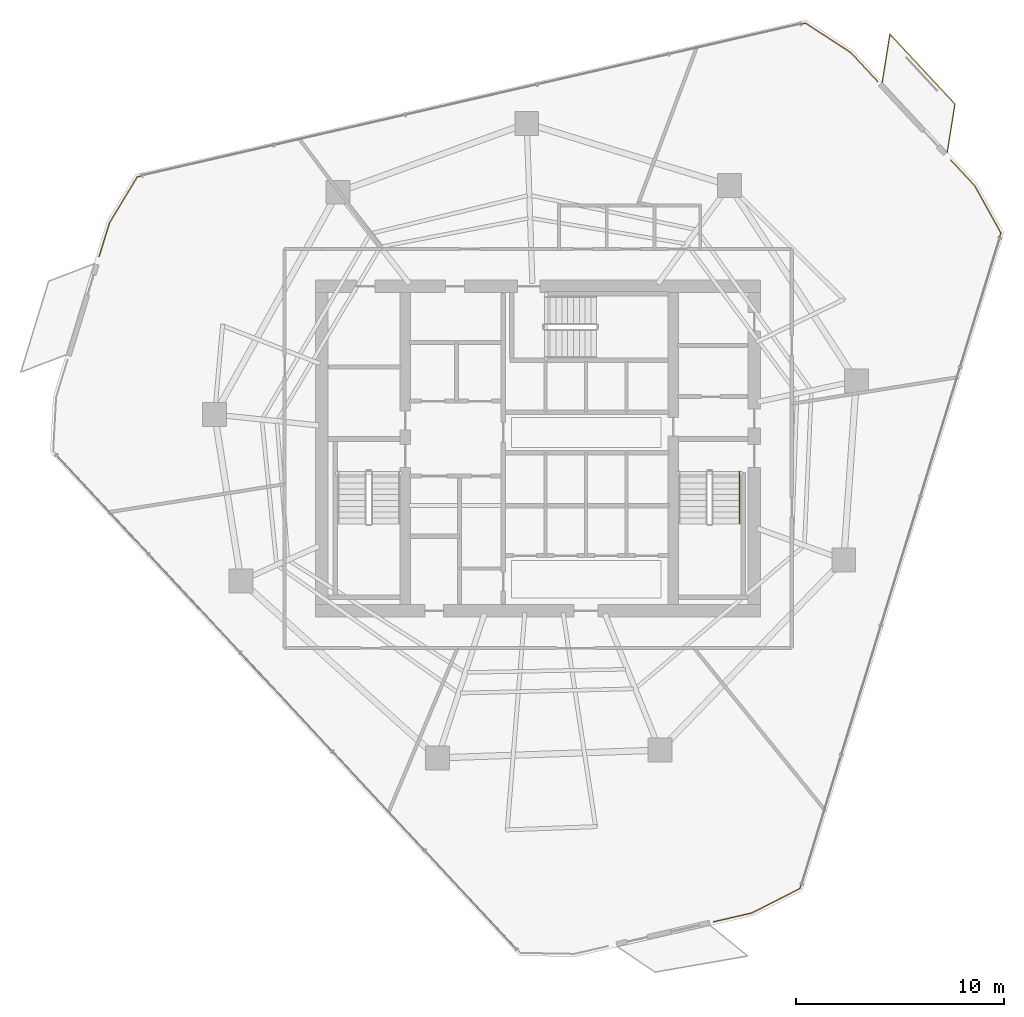
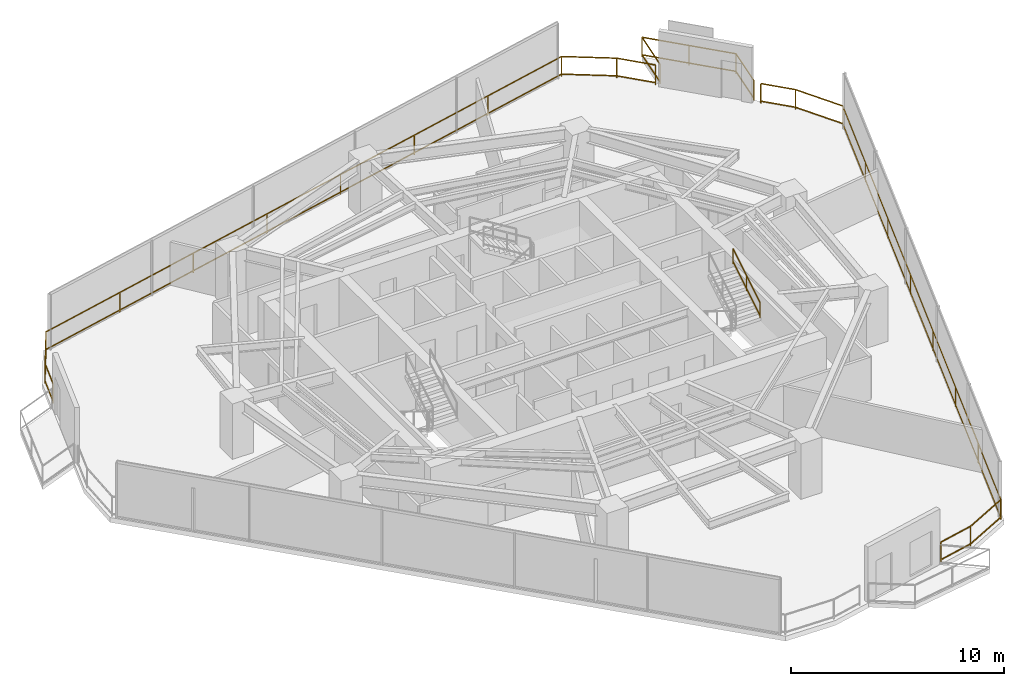
# One storey, part 23 of 23: 5 railings.
"""IFC4 building model written with IfcOpenShell, lengths in metres."""

import ifcopenshell
import ifcopenshell.guid

model = None  # the IFC model being written
_history = None  # IfcOwnerHistory: only IFC2X3 demands one
_inside = {}  # id of a spatial element -> (the spatial element, [elements in it])
_under = {}  # id of a project, library or spatial element -> (it, [spatial elements below it])
_declared = {}  # id of a project -> (the project, [libraries it declares])
_typed = {}  # id of a type object -> (the type object, [elements of that type])
_made_of = {}  # id of a material, layer set ... -> (it, [elements and type objects made of it])


def new_model(schema):
    """Start an empty IFC model of exactly this schema.

    Asked for "IFC4X3", IfcOpenShell would pick the latest addendum, in which some entities
    have other attributes; the version numbers below select the first issue.
    IFC2X3 requires an IfcOwnerHistory on every rooted entity: one is made here for all.
    """
    global model, _history
    if schema == "IFC4X3":
        model = ifcopenshell.file(schema_version=(4, 3, 0, 0))
    else:
        model = ifcopenshell.file(schema=schema)
    _inside.clear()
    _under.clear()
    _declared.clear()
    _typed.clear()
    _made_of.clear()
    _history = None
    if model.schema == "IFC2X3":
        org = make("IfcOrganization", Name="unknown")
        user = make(
            "IfcPersonAndOrganization",
            ThePerson=make("IfcPerson", FamilyName="unknown"),
            TheOrganization=org,
        )
        app = make(
            "IfcApplication",
            ApplicationDeveloper=org,
            Version="unknown",
            ApplicationFullName="unknown",
            ApplicationIdentifier="unknown",
        )
        _history = make(
            "IfcOwnerHistory",
            OwningUser=user,
            OwningApplication=app,
            ChangeAction="ADDED",
            CreationDate=0,
        )
    return model


def make(cls, **values):
    """One entity of the class cls with the attributes given. An attribute that is None is left unset."""
    return model.create_entity(
        cls, **{name: value for name, value in values.items() if value is not None}
    )


def rooted(cls, **values):
    """An entity with a GlobalId (a new one), such as an element, a storey or a relation."""
    return make(cls, GlobalId=ifcopenshell.guid.new(), OwnerHistory=_history, **values)


def si_unit(unit_type, name, prefix=None):
    """IfcSIUnit, for example si_unit("LENGTHUNIT", "METRE", prefix="MILLI")."""
    return make("IfcSIUnit", UnitType=unit_type, Prefix=prefix, Name=name)


def assignment(units):
    """IfcUnitAssignment: the units of a project."""
    return None if units is None else make("IfcUnitAssignment", Units=units)


def point(xyz):
    """IfcCartesianPoint."""
    return None if xyz is None else make("IfcCartesianPoint", Coordinates=xyz)


def direction(xyz):
    """IfcDirection."""
    return None if xyz is None else make("IfcDirection", DirectionRatios=xyz)


def frame(location, z_axis=None, x_axis=None):
    """IfcAxis2Placement3D, a coordinate frame: its origin and axes. An axis left out is left unset."""
    return make(
        "IfcAxis2Placement3D",
        Location=point(location),
        Axis=direction(z_axis),
        RefDirection=direction(x_axis),
    )


def frame_2d(location, x_axis=None):
    """IfcAxis2Placement2D, a coordinate frame in the plane: its origin and x axis."""
    return make(
        "IfcAxis2Placement2D", Location=point(location), RefDirection=direction(x_axis)
    )


def origin():
    """The frame at (0, 0, 0) with its axes left unset."""
    return frame((0.0, 0.0, 0.0))


def origin_2d():
    """The frame at (0, 0) in the plane with its x axis left unset."""
    return frame_2d((0.0, 0.0))


def place(relative_to, where):
    """IfcLocalPlacement: puts the frame where relative to a parent placement (None: the world)."""
    return make(
        "IfcLocalPlacement", PlacementRelTo=relative_to, RelativePlacement=where
    )


def context(
    kind, dimensions, precision=None, world=None, true_north=None, identifier=None
):
    """IfcGeometricRepresentationContext, for example the 3D "Model" context."""
    return make(
        "IfcGeometricRepresentationContext",
        ContextIdentifier=identifier,
        ContextType=kind,
        CoordinateSpaceDimension=dimensions,
        Precision=precision,
        WorldCoordinateSystem=world,
        TrueNorth=true_north,
    )


def subcontext(parent, identifier, kind, view, scale=None):
    """IfcGeometricRepresentationSubContext, for example "Body" below "Model"."""
    return make(
        "IfcGeometricRepresentationSubContext",
        ContextIdentifier=identifier,
        ContextType=kind,
        ParentContext=parent,
        TargetScale=scale,
        TargetView=view,
    )


def project(units=None, contexts=None):
    """IfcProject with its units and contexts."""
    return rooted(
        "IfcProject",
        Name="project",
        RepresentationContexts=contexts,
        UnitsInContext=assignment(units),
    )


def spatial(cls, under=None, at=None, **own):
    """A site, building, storey or space (cls), placed at a placement, below another one or the project."""
    s = rooted(cls, ObjectPlacement=at, **own)
    if under is not None:
        _under.setdefault(under.id(), (under, []))[1].append(s)
    return s


def profile(cls, at=None, kind="AREA", **sizes):
    """A parametric profile (cls). Its sizes go by their IFC names, for example OverallWidth=200.0."""
    return make(cls, ProfileType=kind, Position=at, **sizes)


def rectangle(**sizes):
    """IfcRectangleProfileDef."""
    return profile("IfcRectangleProfileDef", **sizes)


def extrude(swept, where, along, depth):
    """IfcExtrudedAreaSolid: the profile swept, set in the frame where, extruded along a direction by depth."""
    return make(
        "IfcExtrudedAreaSolid",
        SweptArea=swept,
        Position=where,
        ExtrudedDirection=direction(along),
        Depth=depth,
    )


def shape(context_of_items, identifier, shape_type, items):
    """IfcShapeRepresentation: the items that make up one representation, for example the "Body"."""
    return make(
        "IfcShapeRepresentation",
        ContextOfItems=context_of_items,
        RepresentationIdentifier=identifier,
        RepresentationType=shape_type,
        Items=items,
    )


def material(Name=None, Category=None):
    """IfcMaterial."""
    return make("IfcMaterial", Name=Name, Category=Category)


def made_of(thing, what):
    """Note that an element or type object is made of a material, layer set ...; save() writes the relation."""
    if what is not None:
        _made_of.setdefault(what.id(), (what, []))[1].append(thing)
    return thing


def type_object(cls, material=None, **own):
    """A type object (cls), such as IfcWallType, which elements share."""
    return made_of(rooted(cls, **own), material)


def element(
    cls,
    number,
    at=None,
    inside=None,
    cuts=None,
    type_object=None,
    material=None,
    context=None,
    identifier="Body",
    shape_type=None,
    held_by="IfcProductDefinitionShape",
    body=None,
    shapes=None,
    **own,
):
    """One element of the class cls, such as IfcWall. Its Tag is "e" and its number.

    at: its placement. inside: the storey or other place that contains it. cuts: it is an
    opening in that element (IfcRelVoidsElement). A single representation is given by context,
    identifier, shape_type and body (its items); several are given by shapes. held_by: the class
    of the entity that holds the representations. save() writes the other relations.
    """
    e = rooted(cls, Tag="e%d" % number, ObjectPlacement=at, **own)
    if body is not None:
        shapes = [shape(context, identifier, shape_type, body)]
    if shapes is not None:
        e.Representation = make(held_by, Representations=shapes)
    if inside is not None:
        _inside.setdefault(inside.id(), (inside, []))[1].append(e)
    if cuts is not None:
        rooted(
            "IfcRelVoidsElement", RelatingBuildingElement=cuts, RelatedOpeningElement=e
        )
    if type_object is not None:
        _typed.setdefault(type_object.id(), (type_object, []))[1].append(e)
    return made_of(e, material)


def aggregate(whole, parts):
    """IfcRelAggregates: a whole, such as a stair, and the parts it consists of."""
    return rooted("IfcRelAggregates", RelatingObject=whole, RelatedObjects=parts)


def save(model, path):
    """Write the relations noted so far, then the file.

    IfcRelAggregates (storeys below a building ...), IfcRelContainedInSpatialStructure (elements
    in a storey), IfcRelDefinesByType, IfcRelAssociatesMaterial and IfcRelDeclares: one each for
    every whole, place, type object, material and project.
    """
    for whole, parts in _under.values():
        aggregate(whole, parts)
    for where, things in _inside.values():
        rooted(
            "IfcRelContainedInSpatialStructure",
            RelatedElements=things,
            RelatingStructure=where,
        )
    for kind, things in _typed.values():
        rooted("IfcRelDefinesByType", RelatedObjects=things, RelatingType=kind)
    for what, things in _made_of.values():
        rooted("IfcRelAssociatesMaterial", RelatedObjects=things, RelatingMaterial=what)
    for by, libraries in _declared.values():
        rooted("IfcRelDeclares", RelatingContext=by, RelatedDefinitions=libraries)
    model.write(path)


model = new_model("IFC4")

# Units and contexts
model_context = context("Model", 3, precision=1e-05, world=origin(), true_north=direction((0.0, 1.0)))
body_context = subcontext(model_context, "Body", "Model", "MODEL_VIEW")
ifc_project = project(units=[si_unit("LENGTHUNIT", "METRE"), si_unit("AREAUNIT", "SQUARE_METRE"), si_unit("VOLUMEUNIT", "CUBIC_METRE"), si_unit("PLANEANGLEUNIT", "RADIAN"), si_unit("MASSUNIT", "GRAM", prefix="KILO")], contexts=[model_context])

# Site, building, storey
site_placement = place(None, origin())
site = spatial("IfcSite", under=ifc_project, at=site_placement, CompositionType="ELEMENT")
building_placement = place(site_placement, origin())
building = spatial("IfcBuilding", under=site, at=building_placement, Name="Qarnah Convention Tower", CompositionType="ELEMENT")
storey_placement = place(building_placement, frame((0.0, 0.0, 114.300048828125)))
storey = spatial("IfcBuildingStorey", under=building, at=storey_placement, Name="L30", CompositionType="ELEMENT", Elevation=114.300048828125)

# Railings
ifc_material_1 = material(Name="Black anodised aluminium", Category="aluminium")
railing_type_1 = type_object("IfcRailingType", Name="RL-EXT-GUARD-1150", PredefinedType="GUARDRAIL", material=ifc_material_1)
railing_1_placement = place(storey_placement, frame((52.237060546875, 45.455078125, 0.0)))
element("IfcRailing", 1, at=railing_1_placement, inside=storey, type_object=railing_type_1, Name="L30 slab-edge perimeter safety guard 01", PredefinedType="GUARDRAIL", context=body_context, shape_type="SweptSolid", body=[
    extrude(rectangle(XDim=0.048095703125, YDim=0.048095703125, at=origin_2d()), frame((0.0, 0.0, 1.1259765625), z_axis=(0.681423259784, -0.731889568873, 0.0), x_axis=(0.731889568873, 0.681423259784, 0.0)), (0.0, 0.0, 1.0), 1.906005859375),
    extrude(rectangle(XDim=0.048095703125, YDim=0.048095703125, at=origin_2d()), frame((0.0, 0.0, 0.1201171875), z_axis=(0.681423259784, -0.731889568873, 0.0), x_axis=(0.731889568873, 0.681423259784, 0.0)), (0.0, 0.0, 1.0), 1.906005859375),
    extrude(rectangle(XDim=0.0419921875, YDim=0.0419921875, at=origin_2d()), origin(), (0.0, 0.0, 1.0), 1.101806640625),
    extrude(rectangle(XDim=0.0419921875, YDim=0.0419921875, at=origin_2d()), frame((1.298828125, -1.39501953125, 0.0)), (0.0, 0.0, 1.0), 1.101806640625),
])
railing_2_placement = place(storey_placement, frame((57.051025390625, 40.283935546875, 0.0)))
element("IfcRailing", 2, at=railing_2_placement, inside=storey, type_object=railing_type_1, Name="L30 slab-edge perimeter safety guard 02", PredefinedType="GUARDRAIL", context=body_context, shape_type="SweptSolid", body=[
    extrude(rectangle(XDim=0.048095703125, YDim=0.048095703125, at=origin_2d()), frame((0.0, 0.0, 1.1259765625), z_axis=(0.681615268992, -0.731710752331, 0.0), x_axis=(0.731710752331, 0.681615268992, 0.0)), (0.0, 0.0, 1.0), 1.696044921875),
    extrude(rectangle(XDim=0.048095703125, YDim=0.048095703125, at=origin_2d()), frame((0.0, 0.0, 0.1201171875), z_axis=(0.681615268992, -0.731710752331, 0.0), x_axis=(0.731710752331, 0.681615268992, 0.0)), (0.0, 0.0, 1.0), 1.696044921875),
    extrude(rectangle(XDim=0.048095703125, YDim=0.048095703125, at=origin_2d()), frame((1.156005859375, -1.240966796875, 1.1259765625), z_axis=(0.484251544512, -0.874928820898, 0.0), x_axis=(0.874928820898, 0.484251544512, 0.0)), (0.0, 0.0, 1.0), 2.593505859375),
    extrude(rectangle(XDim=0.048095703125, YDim=0.048095703125, at=origin_2d()), frame((1.156005859375, -1.240966796875, 0.1201171875), z_axis=(0.484251544512, -0.874928820898, 0.0), x_axis=(0.874928820898, 0.484251544512, 0.0)), (0.0, 0.0, 1.0), 2.593505859375),
    extrude(rectangle(XDim=0.048095703125, YDim=0.048095703125, at=origin_2d()), frame((2.411865234375, -3.510009765625, 1.1259765625), z_axis=(-0.293045654664, -0.956098449054, 0.0), x_axis=(0.956098449054, -0.293045654664, 0.0)), (0.0, 0.0, 1.0), 32.991455078125),
    extrude(rectangle(XDim=0.048095703125, YDim=0.048095703125, at=origin_2d()), frame((2.411865234375, -3.510009765625, 0.1201171875), z_axis=(-0.293045654664, -0.956098449054, 0.0), x_axis=(0.956098449054, -0.293045654664, 0.0)), (0.0, 0.0, 1.0), 32.991455078125),
    extrude(rectangle(XDim=0.048095703125, YDim=0.048095703125, at=origin_2d()), frame((-7.256103515625, -35.052978515625, 1.1259765625), z_axis=(-0.891318735902, -0.453377228177, 0.0), x_axis=(0.453377228177, -0.891318735902, 0.0)), (0.0, 0.0, 1.0), 2.593994140625),
    extrude(rectangle(XDim=0.048095703125, YDim=0.048095703125, at=origin_2d()), frame((-7.256103515625, -35.052978515625, 0.1201171875), z_axis=(-0.891318735902, -0.453377228177, 0.0), x_axis=(0.453377228177, -0.891318735902, 0.0)), (0.0, 0.0, 1.0), 2.593994140625),
    extrude(rectangle(XDim=0.048095703125, YDim=0.048095703125, at=origin_2d()), frame((-9.568115234375, -36.22900390625, 1.1259765625), z_axis=(-0.974479605974, -0.224476051153, 0.0), x_axis=(0.224476051153, -0.974479605974, 0.0)), (0.0, 0.0, 1.0), 1.906494140625),
    extrude(rectangle(XDim=0.048095703125, YDim=0.048095703125, at=origin_2d()), frame((-9.568115234375, -36.22900390625, 0.1201171875), z_axis=(-0.974479605974, -0.224476051153, 0.0), x_axis=(0.224476051153, -0.974479605974, 0.0)), (0.0, 0.0, 1.0), 1.906494140625),
    extrude(rectangle(XDim=0.0419921875, YDim=0.0419921875, at=origin_2d()), origin(), (0.0, 0.0, 1.0), 1.101806640625),
    extrude(rectangle(XDim=0.0419921875, YDim=0.0419921875, at=origin_2d()), frame((1.156005859375, -1.240966796875, 0.0)), (0.0, 0.0, 1.0), 1.101806640625),
    extrude(rectangle(XDim=0.0419921875, YDim=0.0419921875, at=origin_2d()), frame((2.411865234375, -3.510009765625, 0.0)), (0.0, 0.0, 1.0), 1.101806640625),
    extrude(rectangle(XDim=0.0419921875, YDim=0.0419921875, at=origin_2d()), frame((1.03076171875, -8.01611328125, 0.0)), (0.0, 0.0, 1.0), 1.101806640625),
    extrude(rectangle(XDim=0.0419921875, YDim=0.0419921875, at=origin_2d()), frame((-0.350341796875, -12.522216796875, 0.0)), (0.0, 0.0, 1.0), 1.101806640625),
    extrude(rectangle(XDim=0.0419921875, YDim=0.0419921875, at=origin_2d()), frame((-1.7314453125, -17.0283203125, 0.0)), (0.0, 0.0, 1.0), 1.101806640625),
    extrude(rectangle(XDim=0.0419921875, YDim=0.0419921875, at=origin_2d()), frame((-3.11279296875, -21.53466796875, 0.0)), (0.0, 0.0, 1.0), 1.101806640625),
    extrude(rectangle(XDim=0.0419921875, YDim=0.0419921875, at=origin_2d()), frame((-4.493896484375, -26.040771484375, 0.0)), (0.0, 0.0, 1.0), 1.101806640625),
    extrude(rectangle(XDim=0.0419921875, YDim=0.0419921875, at=origin_2d()), frame((-5.875, -30.546875, 0.0)), (0.0, 0.0, 1.0), 1.101806640625),
    extrude(rectangle(XDim=0.0419921875, YDim=0.0419921875, at=origin_2d()), frame((-7.256103515625, -35.052978515625, 0.0)), (0.0, 0.0, 1.0), 1.101806640625),
    extrude(rectangle(XDim=0.0419921875, YDim=0.0419921875, at=origin_2d()), frame((-9.568115234375, -36.22900390625, 0.0)), (0.0, 0.0, 1.0), 1.101806640625),
    extrude(rectangle(XDim=0.0419921875, YDim=0.0419921875, at=origin_2d()), frame((-11.426025390625, -36.656982421875, 0.0)), (0.0, 0.0, 1.0), 1.101806640625),
])
railing_3_placement = place(storey_placement, frame((16.076904296875, 35.6259765625, 0.0)))
element("IfcRailing", 3, at=railing_3_placement, inside=storey, type_object=railing_type_1, Name="L30 slab-edge perimeter safety guard 04", PredefinedType="GUARDRAIL", context=body_context, shape_type="SweptSolid", body=[
    extrude(rectangle(XDim=0.048095703125, YDim=0.048095703125, at=origin_2d()), frame((0.0, 0.0, 1.1259765625), z_axis=(0.292993523604, 0.956114425749, 0.0), x_axis=(-0.956114425749, 0.292993523604, 0.0)), (0.0, 0.0, 1.0), 1.696533203125),
    extrude(rectangle(XDim=0.048095703125, YDim=0.048095703125, at=origin_2d()), frame((0.0, 0.0, 0.1201171875), z_axis=(0.292993523604, 0.956114425749, 0.0), x_axis=(-0.956114425749, 0.292993523604, 0.0)), (0.0, 0.0, 1.0), 1.696533203125),
    extrude(rectangle(XDim=0.048095703125, YDim=0.048095703125, at=origin_2d()), frame((0.4970703125, 1.6220703125, 1.1259765625), z_axis=(0.515727869522, 0.856752452345, 0.0), x_axis=(-0.856752452345, 0.515727869522, 0.0)), (0.0, 0.0, 1.0), 2.59228515625),
    extrude(rectangle(XDim=0.048095703125, YDim=0.048095703125, at=origin_2d()), frame((0.4970703125, 1.6220703125, 0.1201171875), z_axis=(0.515727869522, 0.856752452345, 0.0), x_axis=(-0.856752452345, 0.515727869522, 0.0)), (0.0, 0.0, 1.0), 2.59228515625),
    extrude(rectangle(XDim=0.048095703125, YDim=0.048095703125, at=origin_2d()), frame((1.833984375, 3.843017578125, 1.1259765625), z_axis=(0.9745290741, 0.224261195335, 0.0), x_axis=(-0.224261195335, 0.9745290741, 0.0)), (0.0, 0.0, 1.0), 32.992431640625),
    extrude(rectangle(XDim=0.048095703125, YDim=0.048095703125, at=origin_2d()), frame((1.833984375, 3.843017578125, 0.1201171875), z_axis=(0.9745290741, 0.224261195335, 0.0), x_axis=(-0.224261195335, 0.9745290741, 0.0)), (0.0, 0.0, 1.0), 32.992431640625),
    extrude(rectangle(XDim=0.048095703125, YDim=0.048095703125, at=origin_2d()), frame((33.986083984375, 11.241943359375, 1.1259765625), z_axis=(0.838497394458, -0.544905606034, 0.0), x_axis=(0.544905606034, 0.838497394458, 0.0)), (0.0, 0.0, 1.0), 2.5927734375),
    extrude(rectangle(XDim=0.048095703125, YDim=0.048095703125, at=origin_2d()), frame((33.986083984375, 11.241943359375, 0.1201171875), z_axis=(0.838497394458, -0.544905606034, 0.0), x_axis=(0.544905606034, 0.838497394458, 0.0)), (0.0, 0.0, 1.0), 2.5927734375),
    extrude(rectangle(XDim=0.0419921875, YDim=0.0419921875, at=origin_2d()), origin(), (0.0, 0.0, 1.0), 1.101806640625),
    extrude(rectangle(XDim=0.0419921875, YDim=0.0419921875, at=origin_2d()), frame((0.4970703125, 1.6220703125, 0.0)), (0.0, 0.0, 1.0), 1.101806640625),
    extrude(rectangle(XDim=0.0419921875, YDim=0.0419921875, at=origin_2d()), frame((1.833984375, 3.843017578125, 0.0)), (0.0, 0.0, 1.0), 1.101806640625),
    extrude(rectangle(XDim=0.0419921875, YDim=0.0419921875, at=origin_2d()), frame((6.42724609375, 4.89990234375, 0.0)), (0.0, 0.0, 1.0), 1.101806640625),
    extrude(rectangle(XDim=0.0419921875, YDim=0.0419921875, at=origin_2d()), frame((11.020263671875, 5.95703125, 0.0)), (0.0, 0.0, 1.0), 1.101806640625),
    extrude(rectangle(XDim=0.0419921875, YDim=0.0419921875, at=origin_2d()), frame((15.613525390625, 7.013916015625, 0.0)), (0.0, 0.0, 1.0), 1.101806640625),
    extrude(rectangle(XDim=0.0419921875, YDim=0.0419921875, at=origin_2d()), frame((20.20654296875, 8.071044921875, 0.0)), (0.0, 0.0, 1.0), 1.101806640625),
    extrude(rectangle(XDim=0.0419921875, YDim=0.0419921875, at=origin_2d()), frame((24.7998046875, 9.1279296875, 0.0)), (0.0, 0.0, 1.0), 1.101806640625),
    extrude(rectangle(XDim=0.0419921875, YDim=0.0419921875, at=origin_2d()), frame((29.392822265625, 10.18505859375, 0.0)), (0.0, 0.0, 1.0), 1.101806640625),
    extrude(rectangle(XDim=0.0419921875, YDim=0.0419921875, at=origin_2d()), frame((33.986083984375, 11.241943359375, 0.0)), (0.0, 0.0, 1.0), 1.101806640625),
    extrude(rectangle(XDim=0.0419921875, YDim=0.0419921875, at=origin_2d()), frame((36.16015625, 9.8291015625, 0.0)), (0.0, 0.0, 1.0), 1.101806640625),
])
railing_4_placement = place(storey_placement, frame((53.7529296875, 44.02392578125, 0.0)))
element("IfcRailing", 4, at=railing_4_placement, inside=storey, type_object=railing_type_1, Name="L30 balcony safety guard BAL-L30-C1", PredefinedType="GUARDRAIL", context=body_context, shape_type="SweptSolid", body=[
    extrude(rectangle(XDim=0.048095703125, YDim=0.048095703125, at=origin_2d()), frame((0.0, 0.0, 1.1259765625), z_axis=(0.157195706517, 0.987567471038, 0.0), x_axis=(-0.987567471038, 0.157195706517, 0.0)), (0.0, 0.0, 1.0), 2.348388671875),
    extrude(rectangle(XDim=0.048095703125, YDim=0.048095703125, at=origin_2d()), frame((0.0, 0.0, 0.1201171875), z_axis=(0.157195706517, 0.987567471038, 0.0), x_axis=(-0.987567471038, 0.157195706517, 0.0)), (0.0, 0.0, 1.0), 2.348388671875),
    extrude(rectangle(XDim=0.048095703125, YDim=0.048095703125, at=origin_2d()), frame((0.369140625, 2.319091796875, 1.1259765625), z_axis=(0.681449895046, -0.7318647693, 0.0), x_axis=(0.7318647693, 0.681449895046, 0.0)), (0.0, 0.0, 1.0), 4.6005859375),
    extrude(rectangle(XDim=0.048095703125, YDim=0.048095703125, at=origin_2d()), frame((0.369140625, 2.319091796875, 0.1201171875), z_axis=(0.681449895046, -0.7318647693, 0.0), x_axis=(0.7318647693, 0.681449895046, 0.0)), (0.0, 0.0, 1.0), 4.6005859375),
    extrude(rectangle(XDim=0.048095703125, YDim=0.048095703125, at=origin_2d()), frame((3.504150390625, -1.0478515625, 1.1259765625), z_axis=(-0.157260291638, -0.987557188559, 0.0), x_axis=(0.987557188559, -0.157260291638, 0.0)), (0.0, 0.0, 1.0), 2.347412109375),
    extrude(rectangle(XDim=0.048095703125, YDim=0.048095703125, at=origin_2d()), frame((3.504150390625, -1.0478515625, 0.1201171875), z_axis=(-0.157260291638, -0.987557188559, 0.0), x_axis=(0.987557188559, -0.157260291638, 0.0)), (0.0, 0.0, 1.0), 2.347412109375),
    extrude(rectangle(XDim=0.0419921875, YDim=0.0419921875, at=origin_2d()), origin(), (0.0, 0.0, 1.0), 1.101806640625),
    extrude(rectangle(XDim=0.0419921875, YDim=0.0419921875, at=origin_2d()), frame((0.369140625, 2.319091796875, 0.0)), (0.0, 0.0, 1.0), 1.101806640625),
    extrude(rectangle(XDim=0.0419921875, YDim=0.0419921875, at=origin_2d()), frame((1.9365234375, 0.6357421875, 0.0)), (0.0, 0.0, 1.0), 1.101806640625),
    extrude(rectangle(XDim=0.0419921875, YDim=0.0419921875, at=origin_2d()), frame((3.504150390625, -1.0478515625, 0.0)), (0.0, 0.0, 1.0), 1.101806640625),
    extrude(rectangle(XDim=0.0419921875, YDim=0.0419921875, at=origin_2d()), frame((3.135009765625, -3.365966796875, 0.0)), (0.0, 0.0, 1.0), 1.101806640625),
])
ifc_material_2 = material(Name="Structural steel S355JR", Category="steel")
railing_type_2 = type_object("IfcRailingType", Name="RL-STAIR-HAND-900", PredefinedType="HANDRAIL", material=ifc_material_2)
railing_5_placement = place(storey_placement, frame((46.89990234375, 22.780029296875, 1.8974609375)))
element("IfcRailing", 5, at=railing_5_placement, inside=storey, type_object=railing_type_2, Name="L30 ST-2 stair handrail 2", PredefinedType="HANDRAIL", context=body_context, shape_type="SweptSolid", body=[
    extrude(rectangle(XDim=0.048095703125, YDim=0.048095703125, at=origin_2d()), frame((0.0, 0.0, 0.8759765625), z_axis=(0.0, 0.851400495292, 0.524516154772), x_axis=(-1.0, 0.0, 0.0)), (0.0, 0.0, 1.0), 2.9599609375),
    extrude(rectangle(XDim=0.048095703125, YDim=0.048095703125, at=origin_2d()), frame((0.0, 0.0, 0.1201171875), z_axis=(0.0, 0.851400495292, 0.524516154772), x_axis=(-1.0, 0.0, 0.0)), (0.0, 0.0, 1.0), 2.9599609375),
    extrude(rectangle(XDim=0.0419921875, YDim=0.0419921875, at=origin_2d()), origin(), (0.0, 0.0, 1.0), 0.851806640625),
    extrude(rectangle(XDim=0.0419921875, YDim=0.0419921875, at=origin_2d()), frame((0.0, 1.260009765625, 0.7763671875)), (0.0, 0.0, 1.0), 0.851806640625),
    extrude(rectangle(XDim=0.0419921875, YDim=0.0419921875, at=origin_2d()), frame((0.0, 2.52001953125, 1.552490234375)), (0.0, 0.0, 1.0), 0.851806640625),
])

save(model, "model.ifc")
